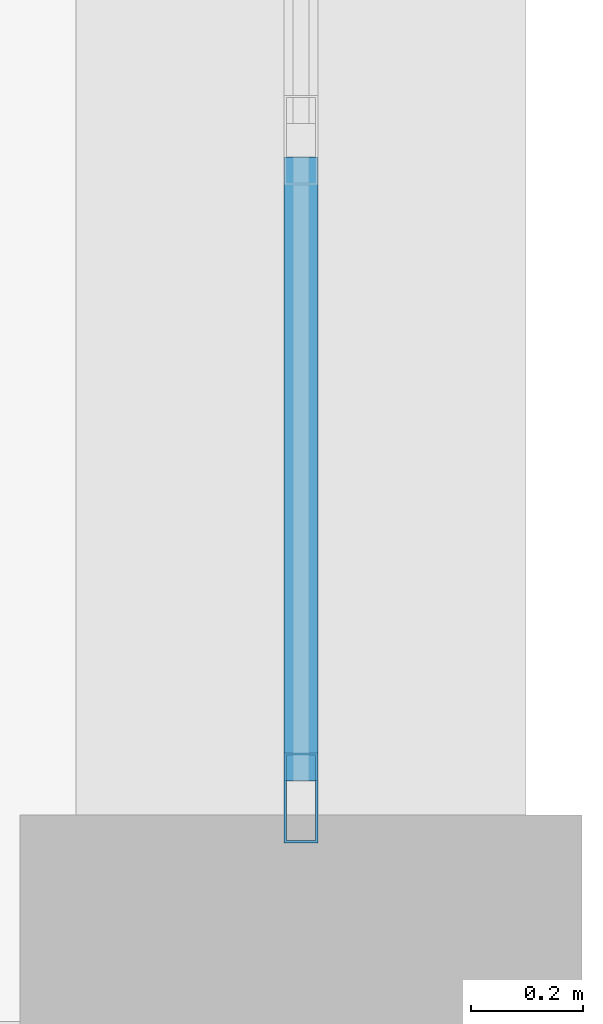
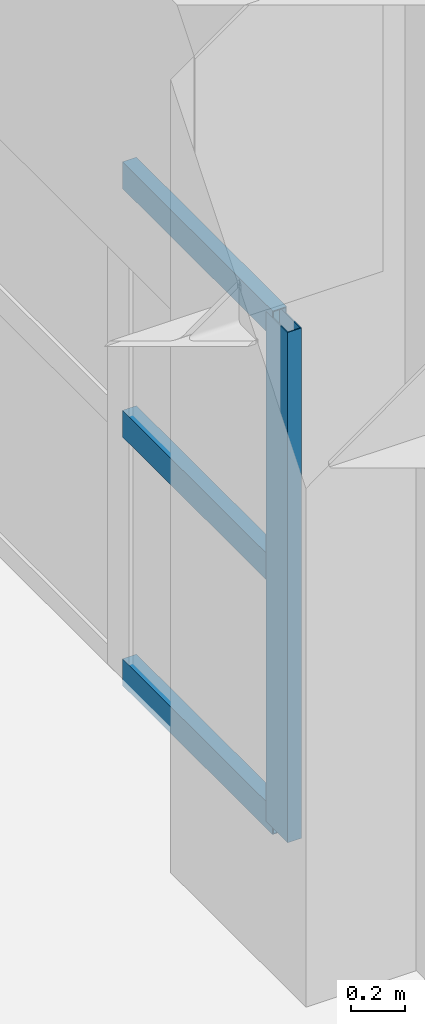
# One storey, part 28 of 74: 4 members, 1 element without a shape of its own.
"""IFC4 building model written with IfcOpenShell, lengths in metres."""

import ifcopenshell
import ifcopenshell.guid

model = None  # the IFC model being written
_history = None  # IfcOwnerHistory: only IFC2X3 demands one
_inside = {}  # id of a spatial element -> (the spatial element, [elements in it])
_under = {}  # id of a project, library or spatial element -> (it, [spatial elements below it])
_declared = {}  # id of a project -> (the project, [libraries it declares])
_typed = {}  # id of a type object -> (the type object, [elements of that type])
_made_of = {}  # id of a material, layer set ... -> (it, [elements and type objects made of it])


def new_model(schema):
    """Start an empty IFC model of exactly this schema.

    Asked for "IFC4X3", IfcOpenShell would pick the latest addendum, in which some entities
    have other attributes; the version numbers below select the first issue.
    IFC2X3 requires an IfcOwnerHistory on every rooted entity: one is made here for all.
    """
    global model, _history
    if schema == "IFC4X3":
        model = ifcopenshell.file(schema_version=(4, 3, 0, 0))
    else:
        model = ifcopenshell.file(schema=schema)
    _inside.clear()
    _under.clear()
    _declared.clear()
    _typed.clear()
    _made_of.clear()
    _history = None
    if model.schema == "IFC2X3":
        org = make("IfcOrganization", Name="unknown")
        user = make(
            "IfcPersonAndOrganization",
            ThePerson=make("IfcPerson", FamilyName="unknown"),
            TheOrganization=org,
        )
        app = make(
            "IfcApplication",
            ApplicationDeveloper=org,
            Version="unknown",
            ApplicationFullName="unknown",
            ApplicationIdentifier="unknown",
        )
        _history = make(
            "IfcOwnerHistory",
            OwningUser=user,
            OwningApplication=app,
            ChangeAction="ADDED",
            CreationDate=0,
        )
    return model


def make(cls, **values):
    """One entity of the class cls with the attributes given. An attribute that is None is left unset."""
    return model.create_entity(
        cls, **{name: value for name, value in values.items() if value is not None}
    )


def rooted(cls, **values):
    """An entity with a GlobalId (a new one), such as an element, a storey or a relation."""
    return make(cls, GlobalId=ifcopenshell.guid.new(), OwnerHistory=_history, **values)


def si_unit(unit_type, name, prefix=None):
    """IfcSIUnit, for example si_unit("LENGTHUNIT", "METRE", prefix="MILLI")."""
    return make("IfcSIUnit", UnitType=unit_type, Prefix=prefix, Name=name)


def assignment(units):
    """IfcUnitAssignment: the units of a project."""
    return None if units is None else make("IfcUnitAssignment", Units=units)


def point(xyz):
    """IfcCartesianPoint."""
    return None if xyz is None else make("IfcCartesianPoint", Coordinates=xyz)


def direction(xyz):
    """IfcDirection."""
    return None if xyz is None else make("IfcDirection", DirectionRatios=xyz)


def frame(location, z_axis=None, x_axis=None):
    """IfcAxis2Placement3D, a coordinate frame: its origin and axes. An axis left out is left unset."""
    return make(
        "IfcAxis2Placement3D",
        Location=point(location),
        Axis=direction(z_axis),
        RefDirection=direction(x_axis),
    )


def frame_2d(location, x_axis=None):
    """IfcAxis2Placement2D, a coordinate frame in the plane: its origin and x axis."""
    return make(
        "IfcAxis2Placement2D", Location=point(location), RefDirection=direction(x_axis)
    )


def origin():
    """The frame at (0, 0, 0) with its axes left unset."""
    return frame((0.0, 0.0, 0.0))


def origin_2d():
    """The frame at (0, 0) in the plane with its x axis left unset."""
    return frame_2d((0.0, 0.0))


def place(relative_to, where):
    """IfcLocalPlacement: puts the frame where relative to a parent placement (None: the world)."""
    return make(
        "IfcLocalPlacement", PlacementRelTo=relative_to, RelativePlacement=where
    )


def context(
    kind, dimensions, precision=None, world=None, true_north=None, identifier=None
):
    """IfcGeometricRepresentationContext, for example the 3D "Model" context."""
    return make(
        "IfcGeometricRepresentationContext",
        ContextIdentifier=identifier,
        ContextType=kind,
        CoordinateSpaceDimension=dimensions,
        Precision=precision,
        WorldCoordinateSystem=world,
        TrueNorth=true_north,
    )


def subcontext(parent, identifier, kind, view, scale=None):
    """IfcGeometricRepresentationSubContext, for example "Body" below "Model"."""
    return make(
        "IfcGeometricRepresentationSubContext",
        ContextIdentifier=identifier,
        ContextType=kind,
        ParentContext=parent,
        TargetScale=scale,
        TargetView=view,
    )


def project(units=None, contexts=None):
    """IfcProject with its units and contexts."""
    return rooted(
        "IfcProject",
        Name="project",
        RepresentationContexts=contexts,
        UnitsInContext=assignment(units),
    )


def spatial(cls, under=None, at=None, **own):
    """A site, building, storey or space (cls), placed at a placement, below another one or the project."""
    s = rooted(cls, ObjectPlacement=at, **own)
    if under is not None:
        _under.setdefault(under.id(), (under, []))[1].append(s)
    return s


def profile(cls, at=None, kind="AREA", **sizes):
    """A parametric profile (cls). Its sizes go by their IFC names, for example OverallWidth=200.0."""
    return make(cls, ProfileType=kind, Position=at, **sizes)


def hollow_rectangle(**sizes):
    """IfcRectangleHollowProfileDef."""
    return profile("IfcRectangleHollowProfileDef", **sizes)


def extrude(swept, where, along, depth):
    """IfcExtrudedAreaSolid: the profile swept, set in the frame where, extruded along a direction by depth."""
    return make(
        "IfcExtrudedAreaSolid",
        SweptArea=swept,
        Position=where,
        ExtrudedDirection=direction(along),
        Depth=depth,
    )


def shape(context_of_items, identifier, shape_type, items):
    """IfcShapeRepresentation: the items that make up one representation, for example the "Body"."""
    return make(
        "IfcShapeRepresentation",
        ContextOfItems=context_of_items,
        RepresentationIdentifier=identifier,
        RepresentationType=shape_type,
        Items=items,
    )


def material(Name=None, Category=None):
    """IfcMaterial."""
    return make("IfcMaterial", Name=Name, Category=Category)


def layer(
    of_material, thickness, ventilated=None, Name=None, Category=None, Priority=None
):
    """IfcMaterialLayer: one layer of a wall or slab, of a material (None: an air gap)."""
    return make(
        "IfcMaterialLayer",
        Material=of_material,
        LayerThickness=thickness,
        IsVentilated=ventilated,
        Name=Name,
        Category=Category,
        Priority=Priority,
    )


def layer_set(layers, Name=None):
    """IfcMaterialLayerSet."""
    return make("IfcMaterialLayerSet", MaterialLayers=layers, LayerSetName=Name)


def material_profile(
    of_material, cross_section, Name=None, Category=None, Priority=None
):
    """IfcMaterialProfile: a cross section and its material."""
    return make(
        "IfcMaterialProfile",
        Name=Name,
        Material=of_material,
        Profile=cross_section,
        Priority=Priority,
        Category=Category,
    )


def profile_set(profiles, Name=None, composite=None):
    """IfcMaterialProfileSet."""
    return make(
        "IfcMaterialProfileSet",
        Name=Name,
        MaterialProfiles=profiles,
        CompositeProfile=composite,
    )


def made_of(thing, what):
    """Note that an element or type object is made of a material, layer set ...; save() writes the relation."""
    if what is not None:
        _made_of.setdefault(what.id(), (what, []))[1].append(thing)
    return thing


def type_object(cls, material=None, **own):
    """A type object (cls), such as IfcWallType, which elements share."""
    return made_of(rooted(cls, **own), material)


def element(
    cls,
    number,
    at=None,
    inside=None,
    cuts=None,
    type_object=None,
    material=None,
    context=None,
    identifier="Body",
    shape_type=None,
    held_by="IfcProductDefinitionShape",
    body=None,
    shapes=None,
    **own,
):
    """One element of the class cls, such as IfcWall. Its Tag is "e" and its number.

    at: its placement. inside: the storey or other place that contains it. cuts: it is an
    opening in that element (IfcRelVoidsElement). A single representation is given by context,
    identifier, shape_type and body (its items); several are given by shapes. held_by: the class
    of the entity that holds the representations. save() writes the other relations.
    """
    e = rooted(cls, Tag="e%d" % number, ObjectPlacement=at, **own)
    if body is not None:
        shapes = [shape(context, identifier, shape_type, body)]
    if shapes is not None:
        e.Representation = make(held_by, Representations=shapes)
    if inside is not None:
        _inside.setdefault(inside.id(), (inside, []))[1].append(e)
    if cuts is not None:
        rooted(
            "IfcRelVoidsElement", RelatingBuildingElement=cuts, RelatedOpeningElement=e
        )
    if type_object is not None:
        _typed.setdefault(type_object.id(), (type_object, []))[1].append(e)
    return made_of(e, material)


def aggregate(whole, parts):
    """IfcRelAggregates: a whole, such as a stair, and the parts it consists of."""
    return rooted("IfcRelAggregates", RelatingObject=whole, RelatedObjects=parts)


def save(model, path):
    """Write the relations noted so far, then the file.

    IfcRelAggregates (storeys below a building ...), IfcRelContainedInSpatialStructure (elements
    in a storey), IfcRelDefinesByType, IfcRelAssociatesMaterial and IfcRelDeclares: one each for
    every whole, place, type object, material and project.
    """
    for whole, parts in _under.values():
        aggregate(whole, parts)
    for where, things in _inside.values():
        rooted(
            "IfcRelContainedInSpatialStructure",
            RelatedElements=things,
            RelatingStructure=where,
        )
    for kind, things in _typed.values():
        rooted("IfcRelDefinesByType", RelatedObjects=things, RelatingType=kind)
    for what, things in _made_of.values():
        rooted("IfcRelAssociatesMaterial", RelatedObjects=things, RelatingMaterial=what)
    for by, libraries in _declared.values():
        rooted("IfcRelDeclares", RelatingContext=by, RelatedDefinitions=libraries)
    model.write(path)


model = new_model("IFC4")

# Units and contexts
model_context = context("Model", 3, precision=1e-05, world=origin(), true_north=direction((0.0, 1.0)))
body_context = subcontext(model_context, "Body", "Model", "MODEL_VIEW")
ifc_project = project(units=[si_unit("LENGTHUNIT", "METRE"), si_unit("AREAUNIT", "SQUARE_METRE"), si_unit("VOLUMEUNIT", "CUBIC_METRE"), si_unit("PLANEANGLEUNIT", "RADIAN"), si_unit("MASSUNIT", "GRAM", prefix="KILO")], contexts=[model_context])

# Site, building, storey
site_placement = place(None, origin())
site = spatial("IfcSite", under=ifc_project, at=site_placement, CompositionType="ELEMENT")
building_placement = place(site_placement, origin())
building = spatial("IfcBuilding", under=site, at=building_placement, Name="Muzn Square Opera House", CompositionType="ELEMENT")
storey_placement = place(building_placement, frame((0.0, 0.0, 14.199951171875)))
storey = spatial("IfcBuildingStorey", under=building, at=storey_placement, Name="L03", CompositionType="ELEMENT", Elevation=14.199951171875)

# Curtain wall, members
ifc_material_1 = material(Name="Low-E laminated acoustic double glazing", Category="glass")
ifc_layer = layer(ifc_material_1, 0.159912109375, Name="Low-E laminated acoustic double glazing", Category="glass")
ifc_layer_set = layer_set([ifc_layer], Name="Low-E laminated acoustic double glazing")
curtain_wall_type = type_object("IfcCurtainWallType", Name="Glazed Curtain Wall EastVaultCourt 3600x2300", PredefinedType="USERDEFINED", material=ifc_layer_set)
curtain_wall_placement = place(storey_placement, origin())
curtain_wall = element("IfcCurtainWall", 1, at=curtain_wall_placement, inside=storey, type_object=curtain_wall_type, Name="Glazed Curtain Wall CW-L03-066", ObjectType="GLAZED CURTAIN WALL", PredefinedType="USERDEFINED")
ifc_material_2 = material(Name="Anodised bronze aluminium 6063-T6", Category="metal")
ifc_material_profile_1 = material_profile(ifc_material_2, hollow_rectangle(XDim=0.06005859375, YDim=0.159912109375, WallThickness=0.00390625, at=origin_2d()), Name="ALU 160x60x4", Category="metal")
ifc_profile_set_1 = profile_set([ifc_material_profile_1], Name="Anodised bronze aluminium 6063-T6")
member_type_1 = type_object("IfcMemberType", Name="Curtain Wall Mullion 160x60", PredefinedType="MULLION", material=ifc_profile_set_1)
member_1_placement = place(storey_placement, frame((133.0, 45.530029296875, 0.0), z_axis=(0.0, 0.0, 1.0), x_axis=(-1.0, 0.0, 0.0)))
member_1 = element("IfcMember", 2, at=member_1_placement, type_object=member_type_1, Name="CW-EVC-36x23 mullion 1", PredefinedType="MULLION", context=body_context, shape_type="SweptSolid", body=[
    extrude(hollow_rectangle(XDim=0.06005859375, YDim=0.159912109375, WallThickness=0.00390625, at=origin_2d()), origin(), (0.0, 0.0, 1.0), 2.300048828125),
])
ifc_material_profile_2 = material_profile(ifc_material_2, hollow_rectangle(XDim=0.06005859375, YDim=0.1201171875, WallThickness=0.00390625, at=origin_2d()), Name="ALU 120x60x4", Category="metal")
ifc_profile_set_2 = profile_set([ifc_material_profile_2], Name="Anodised bronze aluminium 6063-T6")
member_type_2 = type_object("IfcMemberType", Name="Curtain Wall Transom 120x60", PredefinedType="USERDEFINED", material=ifc_profile_set_2)
member_2_placement = place(storey_placement, frame((133.0, 45.56005859375, 0.030029296875), z_axis=(0.0, 1.0, 0.0), x_axis=(-1.0, 0.0, 0.0)))
member_2 = element("IfcMember", 3, at=member_2_placement, type_object=member_type_2, Name="CW-EVC-36x23 transom 1.1", ObjectType="TRANSOM", PredefinedType="USERDEFINED", context=body_context, shape_type="SweptSolid", body=[
    extrude(hollow_rectangle(XDim=0.06005859375, YDim=0.1201171875, WallThickness=0.00390625, at=origin_2d()), origin(), (0.0, 0.0, 1.0), 1.10986328125),
])
member_3_placement = place(storey_placement, frame((133.0, 45.56005859375, 1.150146484375), z_axis=(0.0, 1.0, 0.0), x_axis=(-1.0, 0.0, 0.0)))
member_3 = element("IfcMember", 4, at=member_3_placement, type_object=member_type_2, Name="CW-EVC-36x23 transom 1.2", ObjectType="TRANSOM", PredefinedType="USERDEFINED", context=body_context, shape_type="SweptSolid", body=[
    extrude(hollow_rectangle(XDim=0.06005859375, YDim=0.1201171875, WallThickness=0.00390625, at=origin_2d()), origin(), (0.0, 0.0, 1.0), 1.10986328125),
])
member_4_placement = place(storey_placement, frame((133.0, 45.56005859375, 2.27001953125), z_axis=(0.0, 1.0, 0.0), x_axis=(-1.0, 0.0, 0.0)))
member_4 = element("IfcMember", 5, at=member_4_placement, type_object=member_type_2, Name="CW-EVC-36x23 transom 1.3", ObjectType="TRANSOM", PredefinedType="USERDEFINED", context=body_context, shape_type="SweptSolid", body=[
    extrude(hollow_rectangle(XDim=0.06005859375, YDim=0.1201171875, WallThickness=0.00390625, at=origin_2d()), origin(), (0.0, 0.0, 1.0), 1.10986328125),
])
aggregate(curtain_wall, [member_1, member_2, member_3, member_4])

save(model, "model.ifc")
